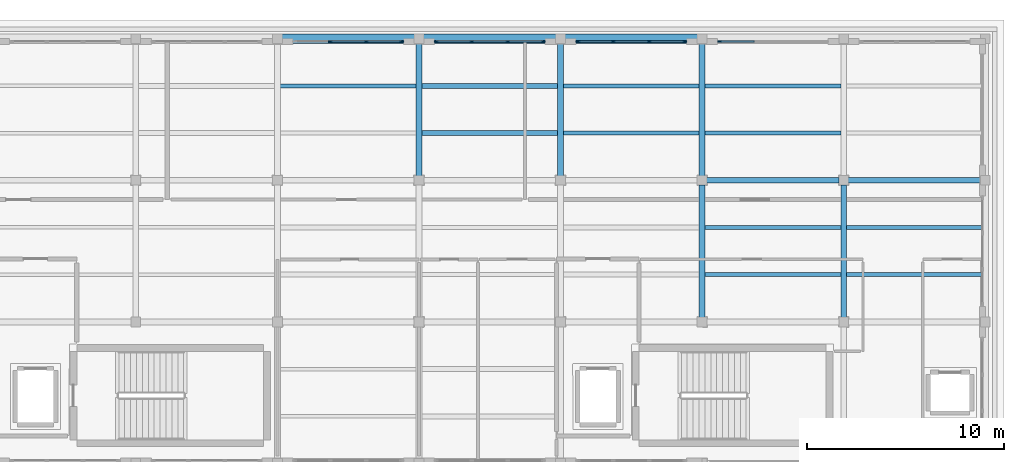
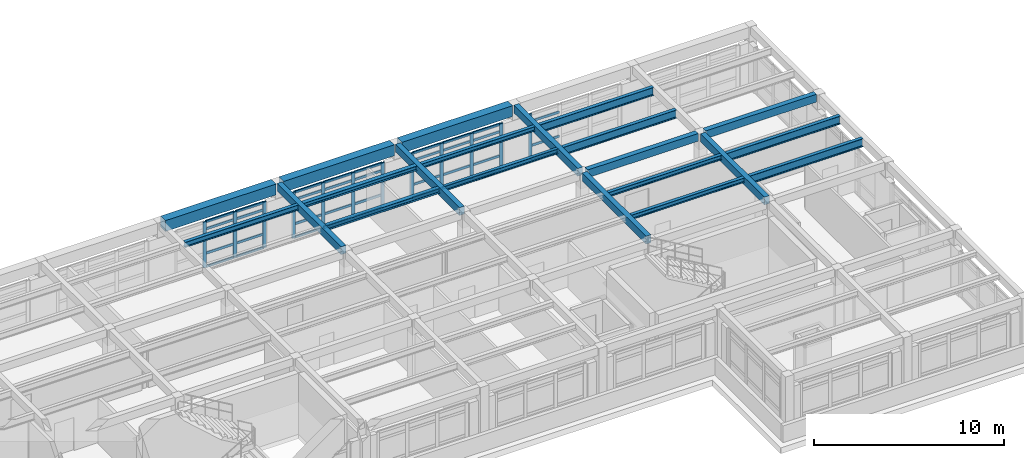
# One storey, part 7 of 18: 47 members, 21 beams, 4 elements without a shape of their own.
"""IFC4 building model written with IfcOpenShell, lengths in metres."""

from ifc_helpers import new_model, si_unit, direction, frame, origin, origin_2d, place, context, subcontext, project, spatial, rectangle, i_section, extrude, material, layer, layer_set, material_profile, profile_set, type_object, element, aggregate, save


model = new_model("IFC4")

# Units and contexts
model_context = context("Model", 3, precision=1e-05, world=origin(), true_north=direction((0.0, 1.0)))
body_context = subcontext(model_context, "Body", "Model", "MODEL_VIEW")
ifc_project = project(units=[si_unit("LENGTHUNIT", "METRE"), si_unit("AREAUNIT", "SQUARE_METRE"), si_unit("VOLUMEUNIT", "CUBIC_METRE"), si_unit("PLANEANGLEUNIT", "RADIAN"), si_unit("MASSUNIT", "GRAM", prefix="KILO")], contexts=[model_context])

# Site, building, storey
site_placement = place(None, origin())
site = spatial("IfcSite", under=ifc_project, at=site_placement, CompositionType="ELEMENT")
building_placement = place(site_placement, origin())
building = spatial("IfcBuilding", under=site, at=building_placement, Name="Solenvale Faculty of Natural Sciences", CompositionType="ELEMENT")
storey_placement = place(building_placement, frame((0.0, 0.0, 39.60009765625)))
storey = spatial("IfcBuildingStorey", under=building, at=storey_placement, Name="L09", CompositionType="ELEMENT", Elevation=39.60009765625)

# Beams
ifc_material_1 = material(Name="Concrete 40 MPa", Category="concrete")
ifc_material_profile_1 = material_profile(ifc_material_1, rectangle(XDim=0.300048828125, YDim=0.5, at=origin_2d()), Name="RC-BM-300x500")
ifc_profile_set_1 = profile_set([ifc_material_profile_1], Name="Concrete 40 MPa")
beam_type_1 = type_object("IfcBeamType", Name="BM-RC-300x500", PredefinedType="BEAM", material=ifc_profile_set_1)
for number, where, z_axis, x_axis, name in (
    (1, (137.030029296875, 108.0, 3.669921875), (1.0, 0.0, 0.0), (0.0, 1.0, 0.0), "L09 X-Girder Y108.0 (136.8..144.0)"),
    (2, (144.22998046875, 108.0, 3.669921875), (1.0, 0.0, 0.0), (0.0, 1.0, 0.0), "L09 X-Girder Y108.0 (144.0..151.2)"),
    (3, (122.39990234375, 108.22998046875, 3.669921875), (0.0, 1.0, 0.0), (-1.0, 0.0, 0.0), "L09 Y-Girder X122.4 (108.0..115.2)"),
    (4, (129.60009765625, 108.22998046875, 3.669921875), (0.0, 1.0, 0.0), (-1.0, 0.0, 0.0), "L09 Y-Girder X129.6 (108.0..115.2)"),
    (5, (136.800048828125, 101.030029296875, 3.669921875), (0.0, 1.0, 0.0), (-1.0, 0.0, 0.0), "L09 Y-Girder X136.8 (100.8..108.0)"),
    (6, (136.800048828125, 108.22998046875, 3.669921875), (0.0, 1.0, 0.0), (-1.0, 0.0, 0.0), "L09 Y-Girder X136.8 (108.0..115.2)"),
    (7, (144.0, 101.030029296875, 3.669921875), (0.0, 1.0, 0.0), (-1.0, 0.0, 0.0), "L09 Y-Girder X144.0 (100.8..108.0)"),
):
    element("IfcBeam", number, at=place(storey_placement, frame(where, z_axis=z_axis, x_axis=x_axis)), inside=storey, type_object=beam_type_1, Name=name, PredefinedType="BEAM", context=body_context, shape_type="SweptSolid", body=[
        extrude(rectangle(XDim=0.300048828125, YDim=0.5, at=origin_2d()), origin(), (0.0, 0.0, 1.0), 6.739990234375),
    ])
ifc_material_2 = material(Name="Precast concrete 40 MPa", Category="concrete")
ifc_material_profile_2 = material_profile(ifc_material_2, rectangle(XDim=0.5, YDim=0.699951171875, at=origin_2d()), Name="RC-BM-500x700")
ifc_profile_set_2 = profile_set([ifc_material_profile_2], Name="Precast concrete 40 MPa")
beam_type_2 = type_object("IfcBeamType", Name="BM-SPN-PRC-700", PredefinedType="SPANDREL", material=ifc_profile_set_2)
beam_1_placement = place(storey_placement, frame((115.429931640625, 115.199951171875, 3.56982421875), z_axis=(1.0, 0.0, 0.0), x_axis=(0.0, 1.0, 0.0)))
element("IfcBeam", 8, at=beam_1_placement, inside=storey, type_object=beam_type_2, Name="L09 X-Girder Y115.2 (115.2..122.4)", PredefinedType="SPANDREL", context=body_context, shape_type="SweptSolid", body=[
    extrude(rectangle(XDim=0.5, YDim=0.699951171875, at=origin_2d()), origin(), (0.0, 0.0, 1.0), 6.739990234375),
])
beam_2_placement = place(storey_placement, frame((122.6298828125, 115.199951171875, 3.56982421875), z_axis=(1.0, 0.0, 0.0), x_axis=(0.0, 1.0, 0.0)))
element("IfcBeam", 9, at=beam_2_placement, inside=storey, type_object=beam_type_2, Name="L09 X-Girder Y115.2 (122.4..129.6)", PredefinedType="SPANDREL", context=body_context, shape_type="SweptSolid", body=[
    extrude(rectangle(XDim=0.5, YDim=0.699951171875, at=origin_2d()), origin(), (0.0, 0.0, 1.0), 6.740234375),
])
beam_3_placement = place(storey_placement, frame((129.830078125, 115.199951171875, 3.56982421875), z_axis=(1.0, 0.0, 0.0), x_axis=(0.0, 1.0, 0.0)))
element("IfcBeam", 10, at=beam_3_placement, inside=storey, type_object=beam_type_2, Name="L09 X-Girder Y115.2 (129.6..136.8)", PredefinedType="SPANDREL", context=body_context, shape_type="SweptSolid", body=[
    extrude(rectangle(XDim=0.5, YDim=0.699951171875, at=origin_2d()), origin(), (0.0, 0.0, 1.0), 6.739990234375),
])
ifc_material_3 = material(Name="Steel S355", Category="steel")
ifc_material_profile_3 = material_profile(ifc_material_3, i_section(OverallWidth=0.202880859375, OverallDepth=0.302978515625, WebThickness=0.007568359375, FlangeThickness=0.01318359375, FilletRadius=0.014892578125, at=origin_2d()), Name="W310x60")
ifc_profile_set_3 = profile_set([ifc_material_profile_3], Name="Steel S355")
beam_type_3 = type_object("IfcBeamType", Name="BM-STL-W310x60", PredefinedType="JOIST", material=ifc_profile_set_3)
for number, where, z_axis, x_axis, name in (
    (11, (129.72998046875, 110.39990234375, 3.768310546875), (1.0, 0.0, 0.0), (0.0, 1.0, 0.0), "L09 Composite Floor Joist (19,16).1"),
    (12, (129.72998046875, 112.800048828125, 3.768310546875), (1.0, 0.0, 0.0), (0.0, 1.0, 0.0), "L09 Composite Floor Joist (19,16).2"),
):
    element("IfcBeam", number, at=place(storey_placement, frame(where, z_axis=z_axis, x_axis=x_axis)), inside=storey, type_object=beam_type_3, Name=name, PredefinedType="JOIST", context=body_context, shape_type="SweptSolid", body=[
        extrude(i_section(OverallWidth=0.202880859375, OverallDepth=0.302978515625, WebThickness=0.007568359375, FlangeThickness=0.01318359375, FilletRadius=0.014892578125, at=origin_2d()), origin(), (0.0, 0.0, 1.0), 6.93994140625),
    ])
for number, where, z_axis, x_axis, name in (
    (13, (136.929931640625, 103.199951171875, 3.768310546875), (1.0, 0.0, 0.0), (0.0, 1.0, 0.0), "L09 Composite Floor Joist (20,15).1"),
    (14, (136.929931640625, 105.60009765625, 3.768310546875), (1.0, 0.0, 0.0), (0.0, 1.0, 0.0), "L09 Composite Floor Joist (20,15).2"),
):
    element("IfcBeam", number, at=place(storey_placement, frame(where, z_axis=z_axis, x_axis=x_axis)), inside=storey, type_object=beam_type_3, Name=name, PredefinedType="JOIST", context=body_context, shape_type="SweptSolid", body=[
        extrude(i_section(OverallWidth=0.202880859375, OverallDepth=0.302978515625, WebThickness=0.007568359375, FlangeThickness=0.01318359375, FilletRadius=0.014892578125, at=origin_2d()), origin(), (0.0, 0.0, 1.0), 6.940185546875),
    ])
ifc_material_profile_4 = material_profile(ifc_material_3, i_section(OverallWidth=0.25390625, OverallDepth=0.305908203125, WebThickness=0.0087890625, FlangeThickness=0.0146484375, FilletRadius=0.014892578125, at=origin_2d()), Name="W310x79")
ifc_profile_set_4 = profile_set([ifc_material_profile_4], Name="Steel S355")
beam_type_4 = type_object("IfcBeamType", Name="BM-STL-W310x79", PredefinedType="JOIST", material=ifc_profile_set_4)
for number, where, z_axis, x_axis, name in (
    (15, (122.530029296875, 110.39990234375, 3.766845703125), (1.0, 0.0, 0.0), (0.0, 1.0, 0.0), "L09 Composite Floor Joist (18,16).1"),
    (16, (122.530029296875, 112.800048828125, 3.766845703125), (1.0, 0.0, 0.0), (0.0, 1.0, 0.0), "L09 Composite Floor Joist (18,16).2"),
):
    element("IfcBeam", number, at=place(storey_placement, frame(where, z_axis=z_axis, x_axis=x_axis)), inside=storey, type_object=beam_type_4, Name=name, PredefinedType="JOIST", context=body_context, shape_type="SweptSolid", body=[
        extrude(i_section(OverallWidth=0.25390625, OverallDepth=0.305908203125, WebThickness=0.0087890625, FlangeThickness=0.0146484375, FilletRadius=0.014892578125, at=origin_2d()), origin(), (0.0, 0.0, 1.0), 6.93994140625),
    ])
ifc_material_profile_5 = material_profile(ifc_material_3, i_section(OverallWidth=0.2041015625, OverallDepth=0.35009765625, WebThickness=0.008544921875, FlangeThickness=0.01513671875, FilletRadius=0.014892578125, at=origin_2d()), Name="W360x72")
ifc_profile_set_5 = profile_set([ifc_material_profile_5], Name="Steel S355")
beam_type_5 = type_object("IfcBeamType", Name="BM-STL-W360x72", PredefinedType="JOIST", material=ifc_profile_set_5)
beam_4_placement = place(storey_placement, frame((115.330078125, 112.800048828125, 3.744873046875), z_axis=(1.0, 0.0, 0.0), x_axis=(0.0, 1.0, 0.0)))
element("IfcBeam", 17, at=beam_4_placement, inside=storey, type_object=beam_type_5, Name="L09 Composite Floor Joist (17,16).2", PredefinedType="JOIST", context=body_context, shape_type="SweptSolid", body=[
    extrude(i_section(OverallWidth=0.2041015625, OverallDepth=0.35009765625, WebThickness=0.008544921875, FlangeThickness=0.01513671875, FilletRadius=0.014892578125, at=origin_2d()), origin(), (0.0, 0.0, 1.0), 6.93994140625),
])
ifc_material_profile_6 = material_profile(ifc_material_3, i_section(OverallWidth=0.208984375, OverallDepth=0.532958984375, WebThickness=0.01025390625, FlangeThickness=0.015625, FilletRadius=0.01904296875, at=origin_2d()), Name="W530x92")
ifc_profile_set_6 = profile_set([ifc_material_profile_6], Name="Steel S355")
beam_type_6 = type_object("IfcBeamType", Name="BM-STL-W530x92", PredefinedType="JOIST", material=ifc_profile_set_6)
for number, where, z_axis, x_axis, name in (
    (18, (136.929931640625, 110.39990234375, 3.6533203125), (1.0, 0.0, 0.0), (0.0, 1.0, 0.0), "L09 Composite Floor Joist (20,16).1"),
    (19, (136.929931640625, 112.800048828125, 3.6533203125), (1.0, 0.0, 0.0), (0.0, 1.0, 0.0), "L09 Composite Floor Joist (20,16).2"),
    (20, (144.1298828125, 103.199951171875, 3.6533203125), (1.0, 0.0, 0.0), (0.0, 1.0, 0.0), "L09 Composite Floor Joist (21,15).1"),
    (21, (144.1298828125, 105.60009765625, 3.6533203125), (1.0, 0.0, 0.0), (0.0, 1.0, 0.0), "L09 Composite Floor Joist (21,15).2"),
):
    element("IfcBeam", number, at=place(storey_placement, frame(where, z_axis=z_axis, x_axis=x_axis)), inside=storey, type_object=beam_type_6, Name=name, PredefinedType="JOIST", context=body_context, shape_type="SweptSolid", body=[
        extrude(i_section(OverallWidth=0.208984375, OverallDepth=0.532958984375, WebThickness=0.01025390625, FlangeThickness=0.015625, FilletRadius=0.01904296875, at=origin_2d()), origin(), (0.0, 0.0, 1.0), 6.940185546875),
    ])

# Curtain wall, member
ifc_material_4 = material(Name="Anodised bronze aluminium", Category="aluminium")
ifc_layer = layer(ifc_material_4, 0.179931640625)
ifc_layer_set = layer_set([ifc_layer], Name="Anodised bronze aluminium")
curtain_wall_type = type_object("IfcCurtainWallType", Name="CW-TWR-MOD", PredefinedType="USERDEFINED", material=ifc_layer_set)
curtain_wall_1_placement = place(storey_placement, origin())
curtain_wall_1 = element("IfcCurtainWall", 22, at=curtain_wall_1_placement, inside=storey, type_object=curtain_wall_type, Name="L09 Curtain Wall CW-L09-P1-E2-B2", ObjectType="UNITISED CURTAIN WALL", PredefinedType="USERDEFINED")
ifc_material_profile_7 = material_profile(ifc_material_4, rectangle(XDim=0.074951171875, YDim=0.2099609375, at=origin_2d()), Name="ALU-MUL-75x210")
ifc_profile_set_7 = profile_set([ifc_material_profile_7], Name="Anodised bronze aluminium")
member_type_1 = type_object("IfcMemberType", Name="CWM-ALU-75x210", PredefinedType="MULLION", material=ifc_profile_set_7)
member_1_placement = place(storey_placement, frame((137.6875, 115.0576171875, 0.0), z_axis=(0.0, 0.0, 1.0), x_axis=(0.0, -1.0, 0.0)))
member_1 = element("IfcMember", 23, at=member_1_placement, type_object=member_type_1, Name="CW-04 mullion 4", PredefinedType="MULLION", context=body_context, shape_type="SweptSolid", body=[
    extrude(rectangle(XDim=0.074951171875, YDim=0.2099609375, at=origin_2d()), origin(), (0.0, 0.0, 1.0), 2.9599609375),
])

# Curtain wall, members
curtain_wall_2_placement = place(storey_placement, origin())
curtain_wall_2 = element("IfcCurtainWall", 24, at=curtain_wall_2_placement, inside=storey, type_object=curtain_wall_type, Name="L09 Curtain Wall CW-L09-P1-E2-B3", ObjectType="UNITISED CURTAIN WALL", PredefinedType="USERDEFINED")
member_2_placement = place(storey_placement, frame((135.91259765625, 115.0576171875, 0.0), z_axis=(0.0, 0.0, 1.0), x_axis=(0.0, -1.0, 0.0)))
member_2 = element("IfcMember", 25, at=member_2_placement, type_object=member_type_1, Name="CW-04 mullion 1", PredefinedType="MULLION", context=body_context, shape_type="SweptSolid", body=[
    extrude(rectangle(XDim=0.074951171875, YDim=0.2099609375, at=origin_2d()), origin(), (0.0, 0.0, 1.0), 2.9599609375),
])
member_3_placement = place(storey_placement, frame((134.11669921875, 115.0576171875, 0.0), z_axis=(0.0, 0.0, 1.0), x_axis=(0.0, -1.0, 0.0)))
member_3 = element("IfcMember", 26, at=member_3_placement, type_object=member_type_1, Name="CW-04 mullion 2", PredefinedType="MULLION", context=body_context, shape_type="SweptSolid", body=[
    extrude(rectangle(XDim=0.074951171875, YDim=0.2099609375, at=origin_2d()), origin(), (0.0, 0.0, 1.0), 2.9599609375),
])
member_4_placement = place(storey_placement, frame((132.283447265625, 115.0576171875, 0.0), z_axis=(0.0, 0.0, 1.0), x_axis=(0.0, -1.0, 0.0)))
member_4 = element("IfcMember", 27, at=member_4_placement, type_object=member_type_1, Name="CW-04 mullion 3", PredefinedType="MULLION", context=body_context, shape_type="SweptSolid", body=[
    extrude(rectangle(XDim=0.074951171875, YDim=0.2099609375, at=origin_2d()), origin(), (0.0, 0.0, 1.0), 2.9599609375),
])
member_5_placement = place(storey_placement, frame((130.487548828125, 115.0576171875, 0.0), z_axis=(0.0, 0.0, 1.0), x_axis=(0.0, -1.0, 0.0)))
member_5 = element("IfcMember", 28, at=member_5_placement, type_object=member_type_1, Name="CW-04 mullion 4", PredefinedType="MULLION", context=body_context, shape_type="SweptSolid", body=[
    extrude(rectangle(XDim=0.074951171875, YDim=0.2099609375, at=origin_2d()), origin(), (0.0, 0.0, 1.0), 2.9599609375),
])

curtain_wall_3_placement = place(storey_placement, origin())
curtain_wall_3 = element("IfcCurtainWall", 29, at=curtain_wall_3_placement, inside=storey, type_object=curtain_wall_type, Name="L09 Curtain Wall CW-L09-P1-E2-B4", ObjectType="UNITISED CURTAIN WALL", PredefinedType="USERDEFINED")
member_6_placement = place(storey_placement, frame((128.71240234375, 115.0576171875, 0.0), z_axis=(0.0, 0.0, 1.0), x_axis=(0.0, -1.0, 0.0)))
member_6 = element("IfcMember", 30, at=member_6_placement, type_object=member_type_1, Name="CW-04 mullion 1", PredefinedType="MULLION", context=body_context, shape_type="SweptSolid", body=[
    extrude(rectangle(XDim=0.074951171875, YDim=0.2099609375, at=origin_2d()), origin(), (0.0, 0.0, 1.0), 2.9599609375),
])
member_7_placement = place(storey_placement, frame((126.916748046875, 115.0576171875, 0.0), z_axis=(0.0, 0.0, 1.0), x_axis=(0.0, -1.0, 0.0)))
member_7 = element("IfcMember", 31, at=member_7_placement, type_object=member_type_1, Name="CW-04 mullion 2", PredefinedType="MULLION", context=body_context, shape_type="SweptSolid", body=[
    extrude(rectangle(XDim=0.074951171875, YDim=0.2099609375, at=origin_2d()), origin(), (0.0, 0.0, 1.0), 2.9599609375),
])
member_8_placement = place(storey_placement, frame((125.083251953125, 115.0576171875, 0.0), z_axis=(0.0, 0.0, 1.0), x_axis=(0.0, -1.0, 0.0)))
member_8 = element("IfcMember", 32, at=member_8_placement, type_object=member_type_1, Name="CW-04 mullion 3", PredefinedType="MULLION", context=body_context, shape_type="SweptSolid", body=[
    extrude(rectangle(XDim=0.074951171875, YDim=0.2099609375, at=origin_2d()), origin(), (0.0, 0.0, 1.0), 2.9599609375),
])
member_9_placement = place(storey_placement, frame((123.28759765625, 115.0576171875, 0.0), z_axis=(0.0, 0.0, 1.0), x_axis=(0.0, -1.0, 0.0)))
member_9 = element("IfcMember", 33, at=member_9_placement, type_object=member_type_1, Name="CW-04 mullion 4", PredefinedType="MULLION", context=body_context, shape_type="SweptSolid", body=[
    extrude(rectangle(XDim=0.074951171875, YDim=0.2099609375, at=origin_2d()), origin(), (0.0, 0.0, 1.0), 2.9599609375),
])

curtain_wall_4_placement = place(storey_placement, origin())
curtain_wall_4 = element("IfcCurtainWall", 34, at=curtain_wall_4_placement, inside=storey, type_object=curtain_wall_type, Name="L09 Curtain Wall CW-L09-P1-E2-B5", ObjectType="UNITISED CURTAIN WALL", PredefinedType="USERDEFINED")
member_10_placement = place(storey_placement, frame((121.512451171875, 115.0576171875, 0.0), z_axis=(0.0, 0.0, 1.0), x_axis=(0.0, -1.0, 0.0)))
member_10 = element("IfcMember", 35, at=member_10_placement, type_object=member_type_1, Name="CW-04 mullion 1", PredefinedType="MULLION", context=body_context, shape_type="SweptSolid", body=[
    extrude(rectangle(XDim=0.074951171875, YDim=0.2099609375, at=origin_2d()), origin(), (0.0, 0.0, 1.0), 2.9599609375),
])
member_11_placement = place(storey_placement, frame((119.716552734375, 115.0576171875, 0.0), z_axis=(0.0, 0.0, 1.0), x_axis=(0.0, -1.0, 0.0)))
member_11 = element("IfcMember", 36, at=member_11_placement, type_object=member_type_1, Name="CW-04 mullion 2", PredefinedType="MULLION", context=body_context, shape_type="SweptSolid", body=[
    extrude(rectangle(XDim=0.074951171875, YDim=0.2099609375, at=origin_2d()), origin(), (0.0, 0.0, 1.0), 2.9599609375),
])
member_12_placement = place(storey_placement, frame((117.88330078125, 115.0576171875, 0.0), z_axis=(0.0, 0.0, 1.0), x_axis=(0.0, -1.0, 0.0)))
member_12 = element("IfcMember", 37, at=member_12_placement, type_object=member_type_1, Name="CW-04 mullion 3", PredefinedType="MULLION", context=body_context, shape_type="SweptSolid", body=[
    extrude(rectangle(XDim=0.074951171875, YDim=0.2099609375, at=origin_2d()), origin(), (0.0, 0.0, 1.0), 2.9599609375),
])

# Member
ifc_material_profile_8 = material_profile(ifc_material_4, rectangle(XDim=0.074951171875, YDim=0.155029296875, at=origin_2d()), Name="ALU-TRN-75x155")
ifc_profile_set_8 = profile_set([ifc_material_profile_8], Name="Anodised bronze aluminium")
member_type_2 = type_object("IfcMemberType", Name="CWT-ALU-75x155", PredefinedType="USERDEFINED", material=ifc_profile_set_8)
member_13_placement = place(storey_placement, frame((139.44580078125, 115.0576171875, 0.037353515625), z_axis=(-1.0, 0.0, 0.0), x_axis=(0.0, -1.0, 0.0)))
member_13 = element("IfcMember", 38, at=member_13_placement, type_object=member_type_2, Name="CW-04 transom 3.1", ObjectType="TRANSOM", PredefinedType="USERDEFINED", context=body_context, shape_type="SweptSolid", body=[
    extrude(rectangle(XDim=0.074951171875, YDim=0.155029296875, at=origin_2d()), origin(), (0.0, 0.0, 1.0), 1.720703125),
])

member_14_placement = place(storey_placement, frame((139.44580078125, 115.0576171875, 0.89990234375), z_axis=(-1.0, 0.0, 0.0), x_axis=(0.0, -1.0, 0.0)))
member_14 = element("IfcMember", 39, at=member_14_placement, type_object=member_type_2, Name="CW-04 transom 3.2", ObjectType="TRANSOM", PredefinedType="USERDEFINED", context=body_context, shape_type="SweptSolid", body=[
    extrude(rectangle(XDim=0.074951171875, YDim=0.155029296875, at=origin_2d()), origin(), (0.0, 0.0, 1.0), 1.720703125),
])

member_15_placement = place(storey_placement, frame((139.44580078125, 115.0576171875, 2.4599609375), z_axis=(-1.0, 0.0, 0.0), x_axis=(0.0, -1.0, 0.0)))
member_15 = element("IfcMember", 40, at=member_15_placement, type_object=member_type_2, Name="CW-04 transom 3.3", ObjectType="TRANSOM", PredefinedType="USERDEFINED", context=body_context, shape_type="SweptSolid", body=[
    extrude(rectangle(XDim=0.074951171875, YDim=0.155029296875, at=origin_2d()), origin(), (0.0, 0.0, 1.0), 1.720703125),
])

aggregate(curtain_wall_1, [member_1, member_13, member_14, member_15])

member_16_placement = place(storey_placement, frame((135.875, 115.0576171875, 0.037353515625), z_axis=(-1.0, 0.0, 0.0), x_axis=(0.0, -1.0, 0.0)))
member_16 = element("IfcMember", 41, at=member_16_placement, type_object=member_type_2, Name="CW-04 transom 1.1", ObjectType="TRANSOM", PredefinedType="USERDEFINED", context=body_context, shape_type="SweptSolid", body=[
    extrude(rectangle(XDim=0.074951171875, YDim=0.155029296875, at=origin_2d()), origin(), (0.0, 0.0, 1.0), 1.720947265625),
])

member_17_placement = place(storey_placement, frame((135.875, 115.0576171875, 0.89990234375), z_axis=(-1.0, 0.0, 0.0), x_axis=(0.0, -1.0, 0.0)))
member_17 = element("IfcMember", 42, at=member_17_placement, type_object=member_type_2, Name="CW-04 transom 1.2", ObjectType="TRANSOM", PredefinedType="USERDEFINED", context=body_context, shape_type="SweptSolid", body=[
    extrude(rectangle(XDim=0.074951171875, YDim=0.155029296875, at=origin_2d()), origin(), (0.0, 0.0, 1.0), 1.720947265625),
])

member_18_placement = place(storey_placement, frame((135.875, 115.0576171875, 2.4599609375), z_axis=(-1.0, 0.0, 0.0), x_axis=(0.0, -1.0, 0.0)))
member_18 = element("IfcMember", 43, at=member_18_placement, type_object=member_type_2, Name="CW-04 transom 1.3", ObjectType="TRANSOM", PredefinedType="USERDEFINED", context=body_context, shape_type="SweptSolid", body=[
    extrude(rectangle(XDim=0.074951171875, YDim=0.155029296875, at=origin_2d()), origin(), (0.0, 0.0, 1.0), 1.720947265625),
])

member_19_placement = place(storey_placement, frame((135.875, 115.0576171875, 2.92236328125), z_axis=(-1.0, 0.0, 0.0), x_axis=(0.0, -1.0, 0.0)))
member_19 = element("IfcMember", 44, at=member_19_placement, type_object=member_type_2, Name="CW-04 transom 1.4", ObjectType="TRANSOM", PredefinedType="USERDEFINED", context=body_context, shape_type="SweptSolid", body=[
    extrude(rectangle(XDim=0.074951171875, YDim=0.155029296875, at=origin_2d()), origin(), (0.0, 0.0, 1.0), 1.720947265625),
])

member_20_placement = place(storey_placement, frame((134.0791015625, 115.0576171875, 0.037353515625), z_axis=(-1.0, 0.0, 0.0), x_axis=(0.0, -1.0, 0.0)))
member_20 = element("IfcMember", 45, at=member_20_placement, type_object=member_type_2, Name="CW-04 transom 2.1", ObjectType="TRANSOM", PredefinedType="USERDEFINED", context=body_context, shape_type="SweptSolid", body=[
    extrude(rectangle(XDim=0.074951171875, YDim=0.155029296875, at=origin_2d()), origin(), (0.0, 0.0, 1.0), 1.75830078125),
])

member_21_placement = place(storey_placement, frame((134.0791015625, 115.0576171875, 0.89990234375), z_axis=(-1.0, 0.0, 0.0), x_axis=(0.0, -1.0, 0.0)))
member_21 = element("IfcMember", 46, at=member_21_placement, type_object=member_type_2, Name="CW-04 transom 2.2", ObjectType="TRANSOM", PredefinedType="USERDEFINED", context=body_context, shape_type="SweptSolid", body=[
    extrude(rectangle(XDim=0.074951171875, YDim=0.155029296875, at=origin_2d()), origin(), (0.0, 0.0, 1.0), 1.75830078125),
])

member_22_placement = place(storey_placement, frame((134.0791015625, 115.0576171875, 2.4599609375), z_axis=(-1.0, 0.0, 0.0), x_axis=(0.0, -1.0, 0.0)))
member_22 = element("IfcMember", 47, at=member_22_placement, type_object=member_type_2, Name="CW-04 transom 2.3", ObjectType="TRANSOM", PredefinedType="USERDEFINED", context=body_context, shape_type="SweptSolid", body=[
    extrude(rectangle(XDim=0.074951171875, YDim=0.155029296875, at=origin_2d()), origin(), (0.0, 0.0, 1.0), 1.75830078125),
])

member_23_placement = place(storey_placement, frame((134.0791015625, 115.0576171875, 2.92236328125), z_axis=(-1.0, 0.0, 0.0), x_axis=(0.0, -1.0, 0.0)))
member_23 = element("IfcMember", 48, at=member_23_placement, type_object=member_type_2, Name="CW-04 transom 2.4", ObjectType="TRANSOM", PredefinedType="USERDEFINED", context=body_context, shape_type="SweptSolid", body=[
    extrude(rectangle(XDim=0.074951171875, YDim=0.155029296875, at=origin_2d()), origin(), (0.0, 0.0, 1.0), 1.75830078125),
])

member_24_placement = place(storey_placement, frame((132.245849609375, 115.0576171875, 0.037353515625), z_axis=(-1.0, 0.0, 0.0), x_axis=(0.0, -1.0, 0.0)))
member_24 = element("IfcMember", 49, at=member_24_placement, type_object=member_type_2, Name="CW-04 transom 3.1", ObjectType="TRANSOM", PredefinedType="USERDEFINED", context=body_context, shape_type="SweptSolid", body=[
    extrude(rectangle(XDim=0.074951171875, YDim=0.155029296875, at=origin_2d()), origin(), (0.0, 0.0, 1.0), 1.720947265625),
])

member_25_placement = place(storey_placement, frame((132.245849609375, 115.0576171875, 0.89990234375), z_axis=(-1.0, 0.0, 0.0), x_axis=(0.0, -1.0, 0.0)))
member_25 = element("IfcMember", 50, at=member_25_placement, type_object=member_type_2, Name="CW-04 transom 3.2", ObjectType="TRANSOM", PredefinedType="USERDEFINED", context=body_context, shape_type="SweptSolid", body=[
    extrude(rectangle(XDim=0.074951171875, YDim=0.155029296875, at=origin_2d()), origin(), (0.0, 0.0, 1.0), 1.720947265625),
])

member_26_placement = place(storey_placement, frame((132.245849609375, 115.0576171875, 2.4599609375), z_axis=(-1.0, 0.0, 0.0), x_axis=(0.0, -1.0, 0.0)))
member_26 = element("IfcMember", 51, at=member_26_placement, type_object=member_type_2, Name="CW-04 transom 3.3", ObjectType="TRANSOM", PredefinedType="USERDEFINED", context=body_context, shape_type="SweptSolid", body=[
    extrude(rectangle(XDim=0.074951171875, YDim=0.155029296875, at=origin_2d()), origin(), (0.0, 0.0, 1.0), 1.720947265625),
])

member_27_placement = place(storey_placement, frame((132.245849609375, 115.0576171875, 2.92236328125), z_axis=(-1.0, 0.0, 0.0), x_axis=(0.0, -1.0, 0.0)))
member_27 = element("IfcMember", 52, at=member_27_placement, type_object=member_type_2, Name="CW-04 transom 3.4", ObjectType="TRANSOM", PredefinedType="USERDEFINED", context=body_context, shape_type="SweptSolid", body=[
    extrude(rectangle(XDim=0.074951171875, YDim=0.155029296875, at=origin_2d()), origin(), (0.0, 0.0, 1.0), 1.720947265625),
])

aggregate(curtain_wall_2, [member_2, member_3, member_4, member_5, member_16, member_17, member_18, member_19, member_20, member_21, member_22, member_23, member_24, member_25, member_26, member_27])

member_28_placement = place(storey_placement, frame((128.675048828125, 115.0576171875, 0.037353515625), z_axis=(-1.0, 0.0, 0.0), x_axis=(0.0, -1.0, 0.0)))
member_28 = element("IfcMember", 53, at=member_28_placement, type_object=member_type_2, Name="CW-04 transom 1.1", ObjectType="TRANSOM", PredefinedType="USERDEFINED", context=body_context, shape_type="SweptSolid", body=[
    extrude(rectangle(XDim=0.074951171875, YDim=0.155029296875, at=origin_2d()), origin(), (0.0, 0.0, 1.0), 1.720947265625),
])

member_29_placement = place(storey_placement, frame((128.675048828125, 115.0576171875, 0.89990234375), z_axis=(-1.0, 0.0, 0.0), x_axis=(0.0, -1.0, 0.0)))
member_29 = element("IfcMember", 54, at=member_29_placement, type_object=member_type_2, Name="CW-04 transom 1.2", ObjectType="TRANSOM", PredefinedType="USERDEFINED", context=body_context, shape_type="SweptSolid", body=[
    extrude(rectangle(XDim=0.074951171875, YDim=0.155029296875, at=origin_2d()), origin(), (0.0, 0.0, 1.0), 1.720947265625),
])

member_30_placement = place(storey_placement, frame((128.675048828125, 115.0576171875, 2.4599609375), z_axis=(-1.0, 0.0, 0.0), x_axis=(0.0, -1.0, 0.0)))
member_30 = element("IfcMember", 55, at=member_30_placement, type_object=member_type_2, Name="CW-04 transom 1.3", ObjectType="TRANSOM", PredefinedType="USERDEFINED", context=body_context, shape_type="SweptSolid", body=[
    extrude(rectangle(XDim=0.074951171875, YDim=0.155029296875, at=origin_2d()), origin(), (0.0, 0.0, 1.0), 1.720947265625),
])

member_31_placement = place(storey_placement, frame((128.675048828125, 115.0576171875, 2.92236328125), z_axis=(-1.0, 0.0, 0.0), x_axis=(0.0, -1.0, 0.0)))
member_31 = element("IfcMember", 56, at=member_31_placement, type_object=member_type_2, Name="CW-04 transom 1.4", ObjectType="TRANSOM", PredefinedType="USERDEFINED", context=body_context, shape_type="SweptSolid", body=[
    extrude(rectangle(XDim=0.074951171875, YDim=0.155029296875, at=origin_2d()), origin(), (0.0, 0.0, 1.0), 1.720947265625),
])

member_32_placement = place(storey_placement, frame((126.879150390625, 115.0576171875, 0.037353515625), z_axis=(-1.0, 0.0, 0.0), x_axis=(0.0, -1.0, 0.0)))
member_32 = element("IfcMember", 57, at=member_32_placement, type_object=member_type_2, Name="CW-04 transom 2.1", ObjectType="TRANSOM", PredefinedType="USERDEFINED", context=body_context, shape_type="SweptSolid", body=[
    extrude(rectangle(XDim=0.074951171875, YDim=0.155029296875, at=origin_2d()), origin(), (0.0, 0.0, 1.0), 1.75830078125),
])

member_33_placement = place(storey_placement, frame((126.879150390625, 115.0576171875, 0.89990234375), z_axis=(-1.0, 0.0, 0.0), x_axis=(0.0, -1.0, 0.0)))
member_33 = element("IfcMember", 58, at=member_33_placement, type_object=member_type_2, Name="CW-04 transom 2.2", ObjectType="TRANSOM", PredefinedType="USERDEFINED", context=body_context, shape_type="SweptSolid", body=[
    extrude(rectangle(XDim=0.074951171875, YDim=0.155029296875, at=origin_2d()), origin(), (0.0, 0.0, 1.0), 1.75830078125),
])

member_34_placement = place(storey_placement, frame((126.879150390625, 115.0576171875, 2.4599609375), z_axis=(-1.0, 0.0, 0.0), x_axis=(0.0, -1.0, 0.0)))
member_34 = element("IfcMember", 59, at=member_34_placement, type_object=member_type_2, Name="CW-04 transom 2.3", ObjectType="TRANSOM", PredefinedType="USERDEFINED", context=body_context, shape_type="SweptSolid", body=[
    extrude(rectangle(XDim=0.074951171875, YDim=0.155029296875, at=origin_2d()), origin(), (0.0, 0.0, 1.0), 1.75830078125),
])

member_35_placement = place(storey_placement, frame((126.879150390625, 115.0576171875, 2.92236328125), z_axis=(-1.0, 0.0, 0.0), x_axis=(0.0, -1.0, 0.0)))
member_35 = element("IfcMember", 60, at=member_35_placement, type_object=member_type_2, Name="CW-04 transom 2.4", ObjectType="TRANSOM", PredefinedType="USERDEFINED", context=body_context, shape_type="SweptSolid", body=[
    extrude(rectangle(XDim=0.074951171875, YDim=0.155029296875, at=origin_2d()), origin(), (0.0, 0.0, 1.0), 1.75830078125),
])

member_36_placement = place(storey_placement, frame((125.0458984375, 115.0576171875, 0.037353515625), z_axis=(-1.0, 0.0, 0.0), x_axis=(0.0, -1.0, 0.0)))
member_36 = element("IfcMember", 61, at=member_36_placement, type_object=member_type_2, Name="CW-04 transom 3.1", ObjectType="TRANSOM", PredefinedType="USERDEFINED", context=body_context, shape_type="SweptSolid", body=[
    extrude(rectangle(XDim=0.074951171875, YDim=0.155029296875, at=origin_2d()), origin(), (0.0, 0.0, 1.0), 1.720947265625),
])

member_37_placement = place(storey_placement, frame((125.0458984375, 115.0576171875, 0.89990234375), z_axis=(-1.0, 0.0, 0.0), x_axis=(0.0, -1.0, 0.0)))
member_37 = element("IfcMember", 62, at=member_37_placement, type_object=member_type_2, Name="CW-04 transom 3.2", ObjectType="TRANSOM", PredefinedType="USERDEFINED", context=body_context, shape_type="SweptSolid", body=[
    extrude(rectangle(XDim=0.074951171875, YDim=0.155029296875, at=origin_2d()), origin(), (0.0, 0.0, 1.0), 1.720947265625),
])

member_38_placement = place(storey_placement, frame((125.0458984375, 115.0576171875, 2.4599609375), z_axis=(-1.0, 0.0, 0.0), x_axis=(0.0, -1.0, 0.0)))
member_38 = element("IfcMember", 63, at=member_38_placement, type_object=member_type_2, Name="CW-04 transom 3.3", ObjectType="TRANSOM", PredefinedType="USERDEFINED", context=body_context, shape_type="SweptSolid", body=[
    extrude(rectangle(XDim=0.074951171875, YDim=0.155029296875, at=origin_2d()), origin(), (0.0, 0.0, 1.0), 1.720947265625),
])

member_39_placement = place(storey_placement, frame((125.0458984375, 115.0576171875, 2.92236328125), z_axis=(-1.0, 0.0, 0.0), x_axis=(0.0, -1.0, 0.0)))
member_39 = element("IfcMember", 64, at=member_39_placement, type_object=member_type_2, Name="CW-04 transom 3.4", ObjectType="TRANSOM", PredefinedType="USERDEFINED", context=body_context, shape_type="SweptSolid", body=[
    extrude(rectangle(XDim=0.074951171875, YDim=0.155029296875, at=origin_2d()), origin(), (0.0, 0.0, 1.0), 1.720947265625),
])

aggregate(curtain_wall_3, [member_6, member_7, member_8, member_9, member_28, member_29, member_30, member_31, member_32, member_33, member_34, member_35, member_36, member_37, member_38, member_39])

member_40_placement = place(storey_placement, frame((121.47509765625, 115.0576171875, 0.037353515625), z_axis=(-1.0, 0.0, 0.0), x_axis=(0.0, -1.0, 0.0)))
member_40 = element("IfcMember", 65, at=member_40_placement, type_object=member_type_2, Name="CW-04 transom 1.1", ObjectType="TRANSOM", PredefinedType="USERDEFINED", context=body_context, shape_type="SweptSolid", body=[
    extrude(rectangle(XDim=0.074951171875, YDim=0.155029296875, at=origin_2d()), origin(), (0.0, 0.0, 1.0), 1.720947265625),
])

member_41_placement = place(storey_placement, frame((121.47509765625, 115.0576171875, 0.89990234375), z_axis=(-1.0, 0.0, 0.0), x_axis=(0.0, -1.0, 0.0)))
member_41 = element("IfcMember", 66, at=member_41_placement, type_object=member_type_2, Name="CW-04 transom 1.2", ObjectType="TRANSOM", PredefinedType="USERDEFINED", context=body_context, shape_type="SweptSolid", body=[
    extrude(rectangle(XDim=0.074951171875, YDim=0.155029296875, at=origin_2d()), origin(), (0.0, 0.0, 1.0), 1.720947265625),
])

member_42_placement = place(storey_placement, frame((121.47509765625, 115.0576171875, 2.4599609375), z_axis=(-1.0, 0.0, 0.0), x_axis=(0.0, -1.0, 0.0)))
member_42 = element("IfcMember", 67, at=member_42_placement, type_object=member_type_2, Name="CW-04 transom 1.3", ObjectType="TRANSOM", PredefinedType="USERDEFINED", context=body_context, shape_type="SweptSolid", body=[
    extrude(rectangle(XDim=0.074951171875, YDim=0.155029296875, at=origin_2d()), origin(), (0.0, 0.0, 1.0), 1.720947265625),
])

member_43_placement = place(storey_placement, frame((121.47509765625, 115.0576171875, 2.92236328125), z_axis=(-1.0, 0.0, 0.0), x_axis=(0.0, -1.0, 0.0)))
member_43 = element("IfcMember", 68, at=member_43_placement, type_object=member_type_2, Name="CW-04 transom 1.4", ObjectType="TRANSOM", PredefinedType="USERDEFINED", context=body_context, shape_type="SweptSolid", body=[
    extrude(rectangle(XDim=0.074951171875, YDim=0.155029296875, at=origin_2d()), origin(), (0.0, 0.0, 1.0), 1.720947265625),
])

member_44_placement = place(storey_placement, frame((119.67919921875, 115.0576171875, 0.037353515625), z_axis=(-1.0, 0.0, 0.0), x_axis=(0.0, -1.0, 0.0)))
member_44 = element("IfcMember", 69, at=member_44_placement, type_object=member_type_2, Name="CW-04 transom 2.1", ObjectType="TRANSOM", PredefinedType="USERDEFINED", context=body_context, shape_type="SweptSolid", body=[
    extrude(rectangle(XDim=0.074951171875, YDim=0.155029296875, at=origin_2d()), origin(), (0.0, 0.0, 1.0), 1.75830078125),
])

member_45_placement = place(storey_placement, frame((119.67919921875, 115.0576171875, 0.89990234375), z_axis=(-1.0, 0.0, 0.0), x_axis=(0.0, -1.0, 0.0)))
member_45 = element("IfcMember", 70, at=member_45_placement, type_object=member_type_2, Name="CW-04 transom 2.2", ObjectType="TRANSOM", PredefinedType="USERDEFINED", context=body_context, shape_type="SweptSolid", body=[
    extrude(rectangle(XDim=0.074951171875, YDim=0.155029296875, at=origin_2d()), origin(), (0.0, 0.0, 1.0), 1.75830078125),
])

member_46_placement = place(storey_placement, frame((119.67919921875, 115.0576171875, 2.4599609375), z_axis=(-1.0, 0.0, 0.0), x_axis=(0.0, -1.0, 0.0)))
member_46 = element("IfcMember", 71, at=member_46_placement, type_object=member_type_2, Name="CW-04 transom 2.3", ObjectType="TRANSOM", PredefinedType="USERDEFINED", context=body_context, shape_type="SweptSolid", body=[
    extrude(rectangle(XDim=0.074951171875, YDim=0.155029296875, at=origin_2d()), origin(), (0.0, 0.0, 1.0), 1.75830078125),
])

member_47_placement = place(storey_placement, frame((119.67919921875, 115.0576171875, 2.92236328125), z_axis=(-1.0, 0.0, 0.0), x_axis=(0.0, -1.0, 0.0)))
member_47 = element("IfcMember", 72, at=member_47_placement, type_object=member_type_2, Name="CW-04 transom 2.4", ObjectType="TRANSOM", PredefinedType="USERDEFINED", context=body_context, shape_type="SweptSolid", body=[
    extrude(rectangle(XDim=0.074951171875, YDim=0.155029296875, at=origin_2d()), origin(), (0.0, 0.0, 1.0), 1.75830078125),
])

aggregate(curtain_wall_4, [member_10, member_11, member_12, member_40, member_41, member_42, member_43, member_44, member_45, member_46, member_47])

save(model, "model.ifc")
